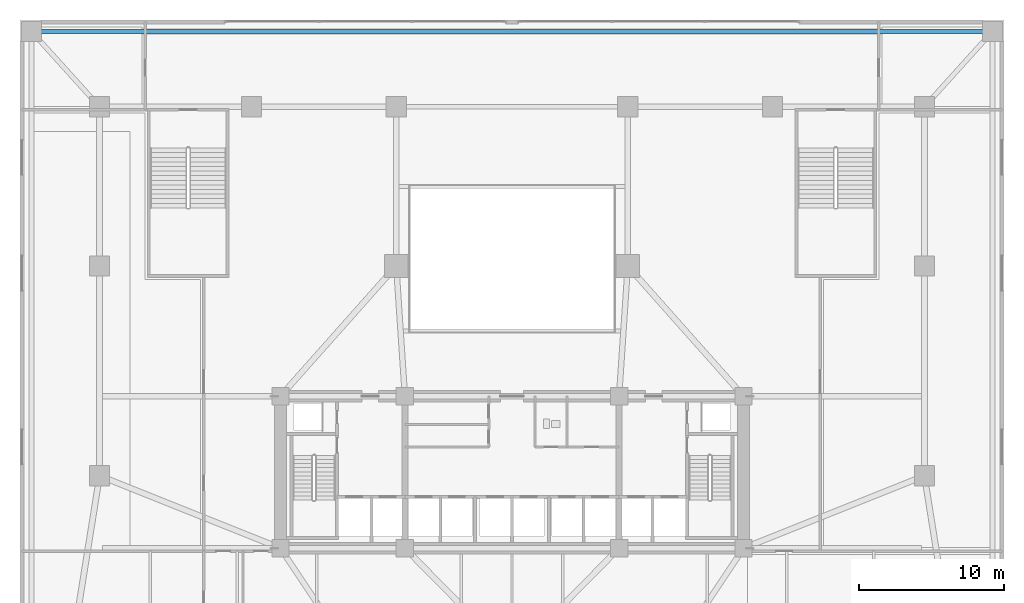
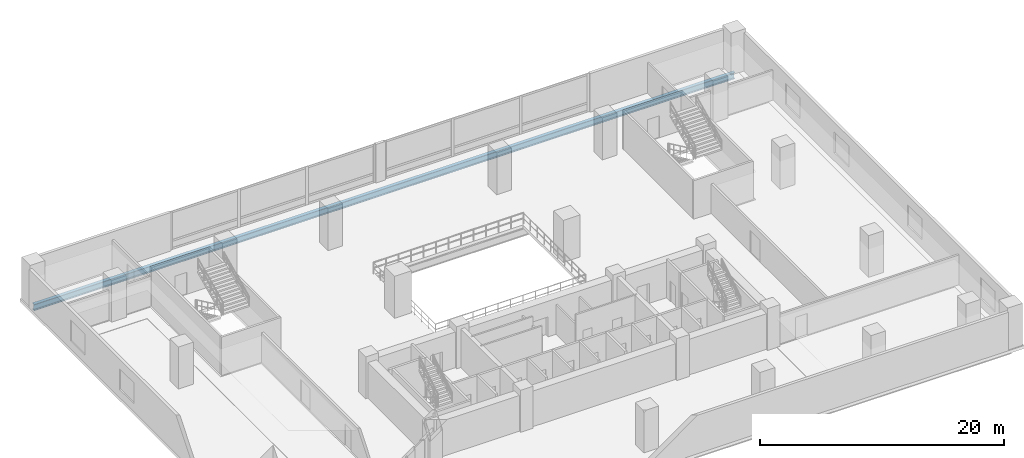
# One storey, part 3 of 15: 1 beam.
"""IFC4 building model written with IfcOpenShell, lengths in metres."""

from ifc_helpers import new_model, si_unit, direction, frame, origin, origin_2d, place, context, subcontext, project, spatial, i_section, extrude, material, material_profile, profile_set, type_object, element, save


model = new_model("IFC4")

# Units and contexts
model_context = context("Model", 3, precision=1e-05, world=origin(), true_north=direction((0.0, 1.0)))
body_context = subcontext(model_context, "Body", "Model", "MODEL_VIEW")
ifc_project = project(units=[si_unit("LENGTHUNIT", "METRE"), si_unit("AREAUNIT", "SQUARE_METRE"), si_unit("VOLUMEUNIT", "CUBIC_METRE"), si_unit("PLANEANGLEUNIT", "RADIAN"), si_unit("MASSUNIT", "GRAM", prefix="KILO")], contexts=[model_context])

# Site, building, storey
site_placement = place(None, origin())
site = spatial("IfcSite", under=ifc_project, at=site_placement, CompositionType="ELEMENT")
building_placement = place(site_placement, origin())
building = spatial("IfcBuilding", under=site, at=building_placement, Name="Solmavex Isthmus Hotel", CompositionType="ELEMENT")
storey_placement = place(building_placement, frame((0.0, 0.0, 16.199951171875)))
storey = spatial("IfcBuildingStorey", under=building, at=storey_placement, Name="L04", CompositionType="ELEMENT", Elevation=16.199951171875)

# Beam
ifc_material = material(Name="Steel ASTM A992 Grade 50", Category="steel")
ifc_material_profile = material_profile(ifc_material, i_section(OverallWidth=0.326416015625, OverallDepth=0.621826171875, WebThickness=0.015380859375, FlangeThickness=0.0244140625, FilletRadius=0.01513671875, at=origin_2d()), Name="W24X131")
ifc_profile_set = profile_set([ifc_material_profile], Name="Steel ASTM A992 Grade 50")
beam_type = type_object("IfcBeamType", Name="BM-SP-W24X131", PredefinedType="SPANDREL", material=ifc_profile_set)
beam_placement = place(storey_placement, frame((33.199951171875, 22.699951171875, -0.61083984375), z_axis=(-1.0, 0.0, 0.0), x_axis=(0.0, -1.0, 0.0)))
element("IfcBeam", 1, at=beam_placement, inside=storey, type_object=beam_type, Name="Podium Edge Spandrel L04-SP02", PredefinedType="SPANDREL", context=body_context, shape_type="SweptSolid", body=[
    extrude(i_section(OverallWidth=0.326416015625, OverallDepth=0.621826171875, WebThickness=0.015380859375, FlangeThickness=0.0244140625, FilletRadius=0.01513671875, at=origin_2d()), origin(), (0.0, 0.0, 1.0), 66.39990234375),
])

save(model, "model.ifc")
